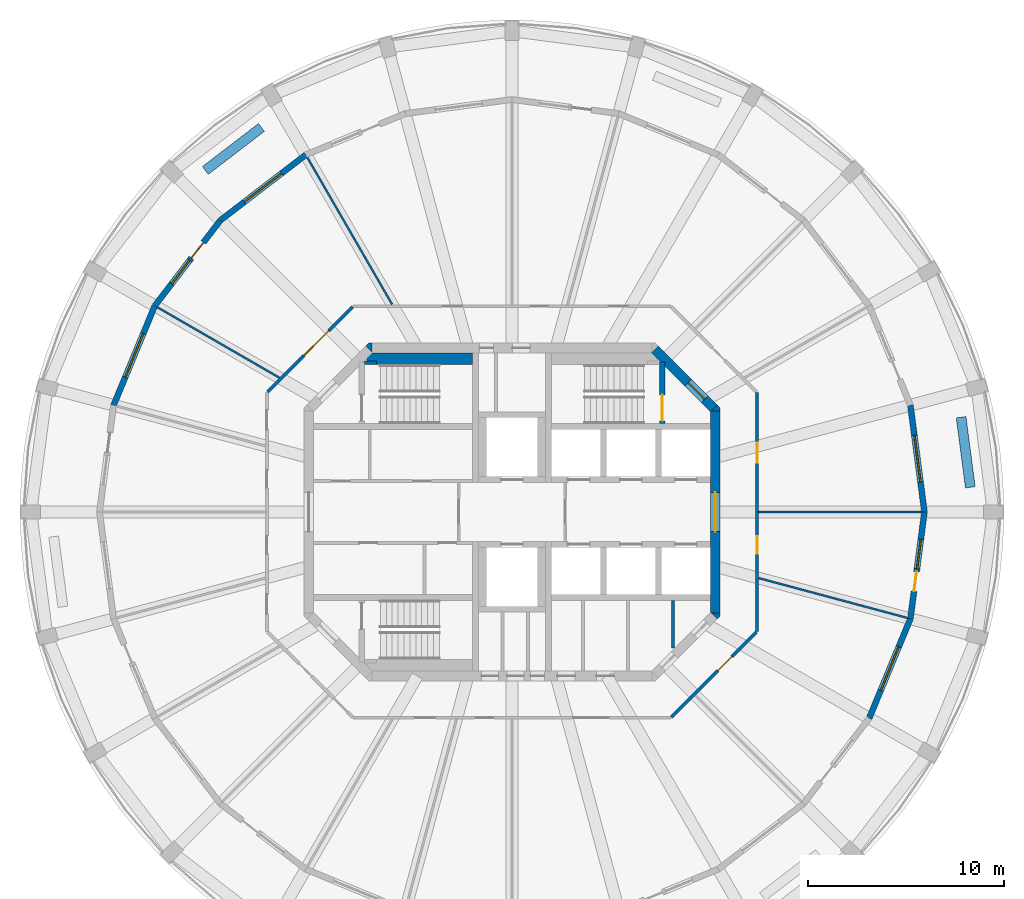
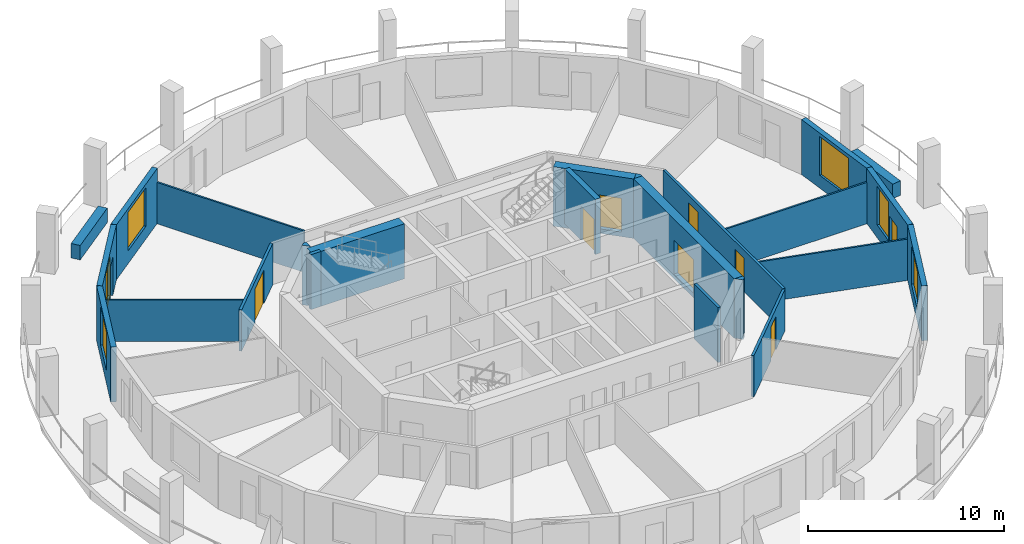
# One storey, part 5 of 9: 24 walls, 9 doors, 6 windows, 15 openings.
"""IFC4 building model written with IfcOpenShell, lengths in metres."""

from ifc_helpers import new_model, si_unit, direction, frame, frame_2d, origin, place, context, subcontext, project, spatial, polyline, rectangle, outline, extrude, material, layer, layer_set, type_object, element, fill, save


model = new_model("IFC4")

# Units and contexts
model_context = context("Model", 3, precision=1e-05, world=origin(), true_north=direction((0.0, 1.0)))
body_context = subcontext(model_context, "Body", "Model", "MODEL_VIEW")
ifc_project = project(units=[si_unit("LENGTHUNIT", "METRE"), si_unit("AREAUNIT", "SQUARE_METRE"), si_unit("VOLUMEUNIT", "CUBIC_METRE"), si_unit("PLANEANGLEUNIT", "RADIAN"), si_unit("MASSUNIT", "GRAM", prefix="KILO")], contexts=[model_context])

# Site, building, storey
site_placement = place(None, origin())
site = spatial("IfcSite", under=ifc_project, at=site_placement, CompositionType="ELEMENT")
building_placement = place(site_placement, origin())
building = spatial("IfcBuilding", under=site, at=building_placement, Name="Torre Triforio", CompositionType="ELEMENT")
storey_placement = place(building_placement, frame((0.0, 0.0, 268.60009765625)))
storey = spatial("IfcBuildingStorey", under=building, at=storey_placement, Name="L62", CompositionType="ELEMENT", Elevation=268.60009765625)

# Wall, opening, door
ifc_material_1 = material(Name="Concrete C40", Category="concrete")
ifc_layer_1 = layer(ifc_material_1, 0.5)
ifc_layer_set_1 = layer_set([ifc_layer_1], Name="Concrete C40")
wall_type_1 = type_object("IfcWallType", Name="Core wall 500 mm C40 EI 120", PredefinedType="SHEAR", material=ifc_layer_set_1)
wall_1_placement = place(storey_placement, frame((10.35009765625, -5.1298828125, -0.280029296875), z_axis=(0.0, 0.0, 1.0), x_axis=(0.0, 1.0, 0.0)))
wall_1 = element("IfcWall", 1, at=wall_1_placement, inside=storey, type_object=wall_type_1, Name="Core wall", PredefinedType="SHEAR", context=body_context, shape_type="SweptSolid", body=[
    extrude(rectangle(XDim=10.259765625, YDim=0.5, at=frame_2d((5.1298828125, 0.0))), origin(), (0.0, 0.0, 1.0), 3.699951171875),
])
opening_1_placement = place(wall_1_placement, frame((4.1298828125, 0.0, 0.280029296875)))
opening_1 = element("IfcOpeningElement", 2, at=opening_1_placement, cuts=wall_1, Name="Opening E-RING", PredefinedType="OPENING", context=body_context, shape_type="SweptSolid", body=[
    extrude(rectangle(XDim=2.0, YDim=2.10009765625, at=frame_2d((1.0, 1.050048828125))), frame((0.0, 0.260009765625, 0.0), z_axis=(0.0, -1.0, 0.0), x_axis=(1.0, 0.0, 0.0)), (0.0, 0.0, 1.0), 0.52001953125),
])
ifc_material_2 = material(Name="Hollow metal fire door leaf")
door_type_1 = type_object("IfcDoorType", Name="Lobby door 2000 x 2100 EI 60", OperationType="DOUBLE_DOOR_SINGLE_SWING", PredefinedType="DOOR", material=ifc_material_2)
door_1_placement = place(opening_1_placement, origin())
door_1 = element("IfcDoor", 3, at=door_1_placement, inside=storey, type_object=door_type_1, Name="Core door E-RING", OperationType="DOUBLE_DOOR_SINGLE_SWING", OverallHeight=2.10009765625, OverallWidth=2.0, PredefinedType="DOOR", context=body_context, shape_type="SweptSolid", body=[
    extrude(rectangle(XDim=2.0, YDim=2.10009765625, at=frame_2d((1.0, 1.050048828125))), frame((0.0, 0.02490234375, 0.0), z_axis=(0.0, -1.0, 0.0), x_axis=(1.0, 0.0, 0.0)), (0.0, 0.0, 1.0), 0.050048828125),
])
fill(opening_1, door_1)

wall_2_placement = place(storey_placement, frame((7.27685546875, 8.27685546875, -0.280029296875), z_axis=(0.0, 0.0, 1.0), x_axis=(0.707106781187, -0.707106781187, 0.0)))
wall_2 = element("IfcWall", 4, at=wall_2_placement, inside=storey, type_object=wall_type_1, Name="Core wall", PredefinedType="SHEAR", context=body_context, shape_type="SweptSolid", body=[
    extrude(rectangle(XDim=4.24267578125, YDim=0.5, at=frame_2d((2.121337890625, 0.0))), origin(), (0.0, 0.0, 1.0), 3.699951171875),
])
opening_2_placement = place(wall_2_placement, frame((2.392578125, 0.0, 0.280029296875)))
opening_2 = element("IfcOpeningElement", 5, at=opening_2_placement, cuts=wall_2, Name="Opening ST2-EXIT", PredefinedType="OPENING", context=body_context, shape_type="SweptSolid", body=[
    extrude(rectangle(XDim=1.199951171875, YDim=2.10009765625, at=frame_2d((0.60009765625, 1.050048828125))), frame((0.0, 0.260009765625, 0.0), z_axis=(0.0, -1.0, 0.0), x_axis=(1.0, 0.0, 0.0)), (0.0, 0.0, 1.0), 0.52001953125),
])
door_type_2 = type_object("IfcDoorType", Name="Stair lobby door 1200 x 2100 EI 60", OperationType="NOTDEFINED", PredefinedType="DOOR", material=ifc_material_2)
door_2_placement = place(opening_2_placement, origin())
door_2 = element("IfcDoor", 6, at=door_2_placement, inside=storey, type_object=door_type_2, Name="Core door ST2-EXIT", OperationType="SINGLE_SWING_RIGHT", OverallHeight=2.10009765625, OverallWidth=1.199951171875, PredefinedType="DOOR", context=body_context, shape_type="SweptSolid", body=[
    extrude(rectangle(XDim=1.199951171875, YDim=2.10009765625, at=frame_2d((0.60009765625, 1.050048828125))), frame((0.0, 0.02490234375, 0.0), z_axis=(0.0, -1.0, 0.0), x_axis=(1.0, 0.0, 0.0)), (0.0, 0.0, 1.0), 0.050048828125),
])
fill(opening_2, door_2)

# Walls
wall_3_placement = place(storey_placement, frame((0.0, 0.0, -0.280029296875)))
element("IfcWall", 7, at=wall_3_placement, inside=storey, type_object=wall_type_1, Name="Core wall", PredefinedType="SHEAR", context=body_context, shape_type="SweptSolid", body=[
    extrude(outline(polyline([(10.60009765625, -5.30712890625), (10.45361328125, -5.45361328125), (10.1298828125, -5.1298828125), (10.60009765625, -5.1298828125), (10.60009765625, -5.30712890625)])), origin(), (0.0, 0.0, 1.0), 3.699951171875),
])
wall_4_placement = place(storey_placement, frame((0.0, 0.0, -0.280029296875)))
element("IfcWall", 8, at=wall_4_placement, inside=storey, type_object=wall_type_1, Name="Core wall", PredefinedType="SHEAR", context=body_context, shape_type="SweptSolid", body=[
    extrude(outline(polyline([(10.60009765625, 5.30712890625), (10.60009765625, 5.1298828125), (10.1298828125, 5.1298828125), (10.45361328125, 5.45361328125), (10.60009765625, 5.30712890625)])), origin(), (0.0, 0.0, 1.0), 3.699951171875),
])
wall_5_placement = place(storey_placement, frame((0.0, 0.0, -0.280029296875)))
element("IfcWall", 9, at=wall_5_placement, inside=storey, type_object=wall_type_1, Name="Core wall", PredefinedType="SHEAR", context=body_context, shape_type="SweptSolid", body=[
    extrude(outline(polyline([(-7.30712890625, 8.60009765625), (-7.1298828125, 8.60009765625), (-7.1298828125, 8.1298828125), (-7.45361328125, 8.45361328125), (-7.30712890625, 8.60009765625)])), origin(), (0.0, 0.0, 1.0), 3.699951171875),
])

# Wall, opening, door
ifc_material_3 = material(Name="Plasterboard on metal studs")
ifc_layer_2 = layer(ifc_material_3, 0.14990234375)
ifc_layer_set_2 = layer_set([ifc_layer_2], Name="Plasterboard on metal studs")
wall_type_2 = type_object("IfcWallType", Name="Corridor and tenancy wall 150 mm EI 60", PredefinedType="PARTITIONING", material=ifc_layer_set_2)
wall_6_placement = place(storey_placement, frame((12.43798828125, -6.120849609375, 0.0), z_axis=(0.0, 0.0, 1.0), x_axis=(-0.707106781187, -0.707106781187, 0.0)))
wall_6 = element("IfcWall", 10, at=wall_6_placement, inside=storey, type_object=wall_type_2, Name="Partition 1", PredefinedType="PARTITIONING", context=body_context, shape_type="SweptSolid", body=[
    extrude(rectangle(XDim=6.10546875, YDim=0.14990234375, at=frame_2d((3.052734375, 0.0))), origin(), (0.0, 0.0, 1.0), 2.56982421875),
])
opening_3_placement = place(wall_6_placement, frame((1.75830078125, 0.0, 0.0)))
opening_3 = element("IfcOpeningElement", 11, at=opening_3_placement, cuts=wall_6, Name="Opening E2-05", PredefinedType="OPENING", context=body_context, shape_type="SweptSolid", body=[
    extrude(rectangle(XDim=1.0, YDim=2.10009765625, at=frame_2d((0.5, 1.050048828125))), frame((0.0, 0.0849609375, 0.0), z_axis=(0.0, -1.0, 0.0), x_axis=(1.0, 0.0, 0.0)), (0.0, 0.0, 1.0), 0.169921875),
])
ifc_material_4 = material(Name="Timber", Category="wood")
door_type_3 = type_object("IfcDoorType", Name="Door 1000 x 2100 single leaf EI 30", OperationType="NOTDEFINED", PredefinedType="DOOR", material=ifc_material_4)
door_3_placement = place(opening_3_placement, origin())
door_3 = element("IfcDoor", 12, at=door_3_placement, inside=storey, type_object=door_type_3, Name="Door E2-05", OperationType="SINGLE_SWING_LEFT", OverallHeight=2.10009765625, OverallWidth=1.0, PredefinedType="DOOR", context=body_context, shape_type="SweptSolid", body=[
    extrude(rectangle(XDim=1.0, YDim=2.10009765625, at=frame_2d((0.5, 1.050048828125))), frame((0.0, 0.02490234375, 0.0), z_axis=(0.0, -1.0, 0.0), x_axis=(1.0, 0.0, 0.0)), (0.0, 0.0, 1.0), 0.050048828125),
])
fill(opening_3, door_3)

wall_7_placement = place(storey_placement, frame((-12.43798828125, 6.120849609375, 0.0), z_axis=(0.0, 0.0, 1.0), x_axis=(0.707106781187, 0.707106781187, 0.0)))
wall_7 = element("IfcWall", 13, at=wall_7_placement, inside=storey, type_object=wall_type_2, Name="Partition 5", PredefinedType="PARTITIONING", context=body_context, shape_type="SweptSolid", body=[
    extrude(rectangle(XDim=6.10546875, YDim=0.14990234375, at=frame_2d((3.052734375, 0.0))), origin(), (0.0, 0.0, 1.0), 2.56982421875),
])
opening_4_placement = place(wall_7_placement, frame((2.601806640625, 0.0, 0.0)))
opening_4 = element("IfcOpeningElement", 14, at=opening_4_placement, cuts=wall_7, Name="Opening E2-12", PredefinedType="OPENING", context=body_context, shape_type="SweptSolid", body=[
    extrude(rectangle(XDim=1.800048828125, YDim=2.10009765625, at=frame_2d((0.89990234375, 1.050048828125))), frame((0.0, 0.0849609375, 0.0), z_axis=(0.0, -1.0, 0.0), x_axis=(1.0, 0.0, 0.0)), (0.0, 0.0, 1.0), 0.169921875),
])
door_type_4 = type_object("IfcDoorType", Name="Door 1800 x 2100 double leaf EI 30", OperationType="DOUBLE_DOOR_SINGLE_SWING", PredefinedType="DOOR", material=ifc_material_4)
door_4_placement = place(opening_4_placement, origin())
door_4 = element("IfcDoor", 15, at=door_4_placement, inside=storey, type_object=door_type_4, Name="Door E2-12", OperationType="DOUBLE_DOOR_SINGLE_SWING", OverallHeight=2.10009765625, OverallWidth=1.800048828125, PredefinedType="DOOR", context=body_context, shape_type="SweptSolid", body=[
    extrude(rectangle(XDim=1.800048828125, YDim=2.10009765625, at=frame_2d((0.89990234375, 1.050048828125))), frame((0.0, 0.02490234375, 0.0), z_axis=(0.0, -1.0, 0.0), x_axis=(1.0, 0.0, 0.0)), (0.0, 0.0, 1.0), 0.050048828125),
])
fill(opening_4, door_4)

# Wall, openings, doors
wall_8_placement = place(storey_placement, frame((12.47509765625, 6.083740234375, 0.0), z_axis=(0.0, 0.0, 1.0), x_axis=(0.0, -1.0, 0.0)))
wall_8 = element("IfcWall", 16, at=wall_8_placement, inside=storey, type_object=wall_type_2, Name="Partition 8", PredefinedType="PARTITIONING", context=body_context, shape_type="SweptSolid", body=[
    extrude(rectangle(XDim=12.16748046875, YDim=0.14990234375, at=frame_2d((6.083740234375, 0.0))), origin(), (0.0, 0.0, 1.0), 2.56982421875),
])
opening_5_placement = place(wall_8_placement, frame((7.305908203125, 0.0, 0.0)))
opening_5 = element("IfcOpeningElement", 17, at=opening_5_placement, cuts=wall_8, Name="Opening E2-06", PredefinedType="OPENING", context=body_context, shape_type="SweptSolid", body=[
    extrude(rectangle(XDim=0.89990234375, YDim=2.10009765625, at=frame_2d((0.449951171875, 1.050048828125))), frame((0.0, 0.0849609375, 0.0), z_axis=(0.0, -1.0, 0.0), x_axis=(1.0, 0.0, 0.0)), (0.0, 0.0, 1.0), 0.169921875),
])
opening_6_placement = place(wall_8_placement, frame((2.56689453125, 0.0, 0.0)))
opening_6 = element("IfcOpeningElement", 18, at=opening_6_placement, cuts=wall_8, Name="Opening E2-07", PredefinedType="OPENING", context=body_context, shape_type="SweptSolid", body=[
    extrude(rectangle(XDim=1.0, YDim=2.10009765625, at=frame_2d((0.5, 1.050048828125))), frame((0.0, 0.0849609375, 0.0), z_axis=(0.0, -1.0, 0.0), x_axis=(1.0, 0.0, 0.0)), (0.0, 0.0, 1.0), 0.169921875),
])
door_5_placement = place(opening_6_placement, origin())
door_5 = element("IfcDoor", 19, at=door_5_placement, inside=storey, type_object=door_type_3, Name="Door E2-07", OperationType="SINGLE_SWING_LEFT", OverallHeight=2.10009765625, OverallWidth=1.0, PredefinedType="DOOR", context=body_context, shape_type="SweptSolid", body=[
    extrude(rectangle(XDim=1.0, YDim=2.10009765625, at=frame_2d((0.5, 1.050048828125))), frame((0.0, 0.02490234375, 0.0), z_axis=(0.0, -1.0, 0.0), x_axis=(1.0, 0.0, 0.0)), (0.0, 0.0, 1.0), 0.050048828125),
])
fill(opening_6, door_5)
door_type_5 = type_object("IfcDoorType", Name="Door 900 x 2100 single leaf EI 30", OperationType="NOTDEFINED", PredefinedType="DOOR", material=ifc_material_4)
door_6_placement = place(opening_5_placement, origin())
door_6 = element("IfcDoor", 20, at=door_6_placement, inside=storey, type_object=door_type_5, Name="Door E2-06", OperationType="SINGLE_SWING_LEFT", OverallHeight=2.10009765625, OverallWidth=0.89990234375, PredefinedType="DOOR", context=body_context, shape_type="SweptSolid", body=[
    extrude(rectangle(XDim=0.89990234375, YDim=2.10009765625, at=frame_2d((0.449951171875, 1.050048828125))), frame((0.0, 0.02490234375, 0.0), z_axis=(0.0, -1.0, 0.0), x_axis=(1.0, 0.0, 0.0)), (0.0, 0.0, 1.0), 0.050048828125),
])
fill(opening_5, door_6)

# Walls
ifc_layer_3 = layer(ifc_material_3, 0.10009765625)
ifc_layer_set_3 = layer_set([ifc_layer_3], Name="Plasterboard on metal studs")
wall_type_3 = type_object("IfcWallType", Name="Partition 100 mm board on metal studs", PredefinedType="PARTITIONING", material=ifc_layer_set_3)
wall_9_placement = place(storey_placement, frame((12.550048828125, 0.0, 0.0), z_axis=(0.0, 0.0, 1.0), x_axis=(1.0, 0.0, 0.0)))
element("IfcWall", 21, at=wall_9_placement, inside=storey, type_object=wall_type_3, Name="Partition 9", PredefinedType="PARTITIONING", context=body_context, shape_type="SweptSolid", body=[
    extrude(rectangle(XDim=8.28662109375, YDim=0.10009765625, at=frame_2d((4.143310546875, 0.0))), origin(), (0.0, 0.0, 1.0), 2.56982421875),
])
wall_10_placement = place(storey_placement, frame((-6.105224609375, 10.57470703125, 0.0), z_axis=(0.0, 0.0, 1.0), x_axis=(-0.50001399067, 0.866017326117, 0.0)))
element("IfcWall", 22, at=wall_10_placement, inside=storey, type_object=wall_type_3, Name="Partition 14", PredefinedType="PARTITIONING", context=body_context, shape_type="SweptSolid", body=[
    extrude(rectangle(XDim=8.626220703125, YDim=0.10009765625, at=frame_2d((4.31298828125, 0.0))), origin(), (0.0, 0.0, 1.0), 2.56982421875),
])
wall_11_placement = place(storey_placement, frame((-11.845947265625, 6.839111328125, 0.0), z_axis=(0.0, 0.0, 1.0), x_axis=(-0.866011787705, 0.500023583, 0.0)))
element("IfcWall", 23, at=wall_11_placement, inside=storey, type_object=wall_type_3, Name="Partition 15", PredefinedType="PARTITIONING", context=body_context, shape_type="SweptSolid", body=[
    extrude(rectangle(XDim=7.158447265625, YDim=0.10009765625, at=frame_2d((3.5791015625, 0.0))), origin(), (0.0, 0.0, 1.0), 2.56982421875),
])
wall_12_placement = place(storey_placement, frame((12.564208984375, -3.36669921875, 0.0), z_axis=(0.0, 0.0, 1.0), x_axis=(0.965933576344, -0.258790119773, 0.0)))
element("IfcWall", 24, at=wall_12_placement, inside=storey, type_object=wall_type_3, Name="Partition 25", PredefinedType="PARTITIONING", context=body_context, shape_type="SweptSolid", body=[
    extrude(rectangle(XDim=7.8291015625, YDim=0.10009765625, at=frame_2d((3.91455078125, 0.0))), origin(), (0.0, 0.0, 1.0), 2.56982421875),
])
ifc_material_5 = material(Name="Block and board partition")
ifc_layer_4 = layer(ifc_material_5, 0.14990234375)
ifc_layer_set_4 = layer_set([ifc_layer_4], Name="Block and board partition")
wall_type_4 = type_object("IfcWallType", Name="Partition 150 mm", PredefinedType="PARTITIONING", material=ifc_layer_set_4)
wall_13_placement = place(storey_placement, frame((8.18896484375, -6.93603515625, 0.0), z_axis=(0.0, 0.0, 1.0), x_axis=(0.0, 1.0, 0.0)))
element("IfcWall", 25, at=wall_13_placement, inside=storey, type_object=wall_type_4, Name="Partition", PredefinedType="PARTITIONING", context=body_context, shape_type="SweptSolid", body=[
    extrude(rectangle(XDim=2.43603515625, YDim=0.14990234375, at=frame_2d((1.218017578125, 0.0))), origin(), (0.0, 0.0, 1.0), 3.419921875),
])
ifc_material_6 = material(Name="Limestone cladding", Category="masonry")
ifc_layer_5 = layer(ifc_material_6, 0.10009765625)
ifc_layer_6 = layer(ifc_material_1, 0.39990234375)
ifc_layer_set_5 = layer_set([ifc_layer_5, ifc_layer_6], Name="Limestone cladding / Concrete C40")
wall_type_5 = type_object("IfcWallType", Name="Planter wall 500", PredefinedType="PARAPET", material=ifc_layer_set_5)
for number, where, z_axis, x_axis, name in (
    (26, (23.335693359375, 1.256591796875, 0.0), (0.0, 0.0, 1.0), (-0.130542222659, 0.991442750795, 0.0), "Planter L62 bay 01"),
    (27, (-12.756103515625, 19.580810546875, 0.0), (0.0, 0.0, 1.0), (-0.793384730612, -0.608720518162, 0.0), "Planter L62 bay 09"),
):
    element("IfcWall", number, at=place(storey_placement, frame(where, z_axis=z_axis, x_axis=x_axis)), inside=storey, type_object=wall_type_5, Name=name, PredefinedType="PARAPET", context=body_context, shape_type="SweptSolid", body=[
        extrude(rectangle(XDim=3.60009765625, YDim=0.5, at=frame_2d((1.800048828125, 0.0))), origin(), (0.0, 0.0, 1.0), 0.89990234375),
    ])
ifc_layer_7 = layer(ifc_material_1, 0.199951171875)
ifc_layer_set_6 = layer_set([ifc_layer_7], Name="Concrete C40")
wall_type_6 = type_object("IfcWallType", Name="Stair wall 200 mm C40 EI 120", PredefinedType="SHEAR", material=ifc_layer_set_6)
wall_14_placement = place(storey_placement, frame((-7.5, 7.60009765625, 0.0), z_axis=(0.0, 0.0, 1.0), x_axis=(1.0, 0.0, 0.0)))
element("IfcWall", 28, at=wall_14_placement, inside=storey, type_object=wall_type_6, Name="Stair wall", PredefinedType="SHEAR", context=body_context, shape_type="SweptSolid", body=[
    extrude(rectangle(XDim=0.60009765625, YDim=0.199951171875, at=frame_2d((0.300048828125, 0.0))), origin(), (0.0, 0.0, 1.0), 3.419921875),
])

# Wall, opening, door
ifc_layer_8 = layer(ifc_material_1, 0.300048828125)
ifc_layer_set_7 = layer_set([ifc_layer_8], Name="Concrete C40")
wall_type_7 = type_object("IfcWallType", Name="Stair wall 300 mm C40 EI 120", PredefinedType="SHEAR", material=ifc_layer_set_7)
wall_15_placement = place(storey_placement, frame((7.64990234375, 4.5, 0.0), z_axis=(0.0, 0.0, 1.0), x_axis=(0.0, 1.0, 0.0)))
wall_15 = element("IfcWall", 29, at=wall_15_placement, inside=storey, type_object=wall_type_7, Name="Stair wall", PredefinedType="SHEAR", context=body_context, shape_type="SweptSolid", body=[
    extrude(rectangle(XDim=3.139892578125, YDim=0.300048828125, at=frame_2d((1.56982421875, 0.0))), origin(), (0.0, 0.0, 1.0), 3.419921875),
])
opening_7_placement = place(wall_15_placement, frame((0.139892578125, 0.0, 0.0)))
opening_7 = element("IfcOpeningElement", 30, at=opening_7_placement, cuts=wall_15, Name="Opening ST2-STA", PredefinedType="OPENING", context=body_context, shape_type="SweptSolid", body=[
    extrude(rectangle(XDim=1.320068359375, YDim=2.10009765625, at=frame_2d((0.66015625, 1.050048828125))), frame((0.0, 0.159912109375, 0.0), z_axis=(0.0, -1.0, 0.0), x_axis=(1.0, 0.0, 0.0)), (0.0, 0.0, 1.0), 0.320068359375),
])
door_type_6 = type_object("IfcDoorType", Name="Stair door 1320 x 2100 EI 90", OperationType="DOUBLE_DOOR_SINGLE_SWING", PredefinedType="DOOR", material=ifc_material_2)
door_7_placement = place(opening_7_placement, origin())
door_7 = element("IfcDoor", 31, at=door_7_placement, inside=storey, type_object=door_type_6, Name="Core door ST2-ST", OperationType="DOUBLE_DOOR_SINGLE_SWING", OverallHeight=2.10009765625, OverallWidth=1.320068359375, PredefinedType="DOOR", context=body_context, shape_type="SweptSolid", body=[
    extrude(rectangle(XDim=1.320068359375, YDim=2.10009765625, at=frame_2d((0.66015625, 1.050048828125))), frame((0.0, 0.02490234375, 0.0), z_axis=(0.0, -1.0, 0.0), x_axis=(1.0, 0.0, 0.0)), (0.0, 0.0, 1.0), 0.050048828125),
])
fill(opening_7, door_7)

# Wall
ifc_layer_9 = layer(ifc_material_1, 0.60009765625)
ifc_layer_set_8 = layer_set([ifc_layer_9], Name="Concrete C40")
wall_type_8 = type_object("IfcWallType", Name="Stair wall 600 mm C40 EI 120", PredefinedType="SHEAR", material=ifc_layer_set_8)
wall_16_placement = place(storey_placement, frame((-7.3701171875, 7.800048828125, 0.0), z_axis=(0.0, 0.0, 1.0), x_axis=(1.0, 0.0, 0.0)))
element("IfcWall", 32, at=wall_16_placement, inside=storey, type_object=wall_type_8, Name="Stair wall", PredefinedType="SHEAR", context=body_context, shape_type="SweptSolid", body=[
    extrude(rectangle(XDim=5.3701171875, YDim=0.60009765625, at=frame_2d((2.68505859375, 0.0))), origin(), (0.0, 0.0, 1.0), 3.419921875),
])

# Wall, opening, window
ifc_layer_10 = layer(ifc_material_6, 0.10009765625)
ifc_layer_11 = layer(ifc_material_1, 0.199951171875)
ifc_layer_set_9 = layer_set([ifc_layer_10, ifc_layer_11], Name="Limestone cladding / Concrete C40")
wall_type_9 = type_object("IfcWallType", Name="Stone-faced composite wall 300", PredefinedType="STANDARD", material=ifc_layer_set_9)
wall_17_placement = place(storey_placement, frame((21.0, 0.0, 0.0), z_axis=(0.0, 0.0, 1.0), x_axis=(-0.130527087244, 0.991444743541, 0.0)))
wall_17 = element("IfcWall", 33, at=wall_17_placement, inside=storey, type_object=wall_type_9, Name="External wall L62 bay 01", PredefinedType="STANDARD", context=body_context, shape_type="SweptSolid", body=[
    extrude(rectangle(XDim=5.482177734375, YDim=0.300048828125, at=frame_2d((2.7412109375, 0.0))), origin(), (0.0, 0.0, 1.0), 3.419921875),
])
opening_8_placement = place(wall_17_placement, frame((1.541015625, 0.0, 0.800048828125)))
opening_8 = element("IfcOpeningElement", 34, at=opening_8_placement, cuts=wall_17, Name="Opening E2-W01", PredefinedType="OPENING", context=body_context, shape_type="SweptSolid", body=[
    extrude(rectangle(XDim=2.39990234375, YDim=2.39990234375, at=frame_2d((1.199951171875, 1.199951171875))), frame((0.0, 0.159912109375, 0.0), z_axis=(0.0, -1.0, 0.0), x_axis=(1.0, 0.0, 0.0)), (0.0, 0.0, 1.0), 0.320068359375),
])
ifc_material_7 = material(Name="Aluminium frame with clear double glazing", Category="aluminium")
window_type_1 = type_object("IfcWindowType", Name="Punched window 2400 x 2400", PartitioningType="DOUBLE_PANEL_VERTICAL", PredefinedType="WINDOW", material=ifc_material_7)
window_1_placement = place(opening_8_placement, origin())
window_1 = element("IfcWindow", 35, at=window_1_placement, inside=storey, type_object=window_type_1, Name="Window EWN4 L62 bay 01", OverallHeight=2.39990234375, OverallWidth=2.39990234375, PartitioningType="SINGLE_PANEL", PredefinedType="WINDOW", context=body_context, shape_type="SweptSolid", body=[
    extrude(rectangle(XDim=2.39990234375, YDim=2.39990234375, at=frame_2d((1.199951171875, 1.199951171875))), frame((0.0, 0.030029296875, 0.0), z_axis=(0.0, -1.0, 0.0), x_axis=(1.0, 0.0, 0.0)), (0.0, 0.0, 1.0), 0.06005859375),
])
fill(opening_8, window_1)

wall_18_placement = place(storey_placement, frame((-10.5, 18.1865234375, 0.0), z_axis=(0.0, 0.0, 1.0), x_axis=(-0.793335336593, -0.608784891166, 0.0)))
wall_18 = element("IfcWall", 36, at=wall_18_placement, inside=storey, type_object=wall_type_9, Name="External wall L62 bay 09", PredefinedType="STANDARD", context=body_context, shape_type="SweptSolid", body=[
    extrude(rectangle(XDim=5.482177734375, YDim=0.300048828125, at=frame_2d((2.7412109375, 0.0))), origin(), (0.0, 0.0, 1.0), 3.419921875),
])
opening_9_placement = place(wall_18_placement, frame((1.541015625, 0.0, 0.800048828125)))
opening_9 = element("IfcOpeningElement", 37, at=opening_9_placement, cuts=wall_18, Name="Opening E2-W09", PredefinedType="OPENING", context=body_context, shape_type="SweptSolid", body=[
    extrude(rectangle(XDim=2.39990234375, YDim=2.39990234375, at=frame_2d((1.199951171875, 1.199951171875))), frame((0.0, 0.159912109375, 0.0), z_axis=(0.0, -1.0, 0.0), x_axis=(1.0, 0.0, 0.0)), (0.0, 0.0, 1.0), 0.320068359375),
])
window_2_placement = place(opening_9_placement, origin())
window_2 = element("IfcWindow", 38, at=window_2_placement, inside=storey, type_object=window_type_1, Name="Window EWN4 L62 bay 09", OverallHeight=2.39990234375, OverallWidth=2.39990234375, PartitioningType="SINGLE_PANEL", PredefinedType="WINDOW", context=body_context, shape_type="SweptSolid", body=[
    extrude(rectangle(XDim=2.39990234375, YDim=2.39990234375, at=frame_2d((1.199951171875, 1.199951171875))), frame((0.0, 0.030029296875, 0.0), z_axis=(0.0, -1.0, 0.0), x_axis=(1.0, 0.0, 0.0)), (0.0, 0.0, 1.0), 0.06005859375),
])
fill(opening_9, window_2)

# Wall, openings, door, window
wall_19_placement = place(storey_placement, frame((-14.84912109375, 14.84912109375, 0.0), z_axis=(0.0, 0.0, 1.0), x_axis=(-0.608784891166, -0.793335336593, 0.0)))
wall_19 = element("IfcWall", 39, at=wall_19_placement, inside=storey, type_object=wall_type_9, Name="External wall L62 bay 10", PredefinedType="STANDARD", context=body_context, shape_type="SweptSolid", body=[
    extrude(rectangle(XDim=5.482177734375, YDim=0.300048828125, at=frame_2d((2.7412109375, 0.0))), origin(), (0.0, 0.0, 1.0), 3.419921875),
])
opening_10_placement = place(wall_19_placement, frame((1.416015625, 0.0, 0.0)))
opening_10 = element("IfcOpeningElement", 40, at=opening_10_placement, cuts=wall_19, Name="Opening E2-D10", PredefinedType="OPENING", context=body_context, shape_type="SweptSolid", body=[
    extrude(rectangle(XDim=1.0, YDim=2.39990234375, at=frame_2d((0.5, 1.199951171875))), frame((0.0, 0.159912109375, 0.0), z_axis=(0.0, -1.0, 0.0), x_axis=(1.0, 0.0, 0.0)), (0.0, 0.0, 1.0), 0.320068359375),
])
opening_11_placement = place(wall_19_placement, frame((2.56591796875, 0.0, 0.800048828125)))
opening_11 = element("IfcOpeningElement", 41, at=opening_11_placement, cuts=wall_19, Name="Opening E2-W10A", PredefinedType="OPENING", context=body_context, shape_type="SweptSolid", body=[
    extrude(rectangle(XDim=1.5, YDim=2.39990234375, at=frame_2d((0.75, 1.199951171875))), frame((0.0, 0.159912109375, 0.0), z_axis=(0.0, -1.0, 0.0), x_axis=(1.0, 0.0, 0.0)), (0.0, 0.0, 1.0), 0.320068359375),
])
door_type_7 = type_object("IfcDoorType", Name="Loggia door 1000 x 2400", OperationType="NOTDEFINED", PredefinedType="DOOR", material=ifc_material_7)
door_8_placement = place(opening_10_placement, origin())
door_8 = element("IfcDoor", 42, at=door_8_placement, inside=storey, type_object=door_type_7, Name="Loggia door L62 bay 10", OperationType="SINGLE_SWING_LEFT", OverallHeight=2.39990234375, OverallWidth=1.0, PredefinedType="DOOR", context=body_context, shape_type="SweptSolid", body=[
    extrude(rectangle(XDim=1.0, YDim=2.39990234375, at=frame_2d((0.5, 1.199951171875))), frame((0.0, 0.02490234375, 0.0), z_axis=(0.0, -1.0, 0.0), x_axis=(1.0, 0.0, 0.0)), (0.0, 0.0, 1.0), 0.050048828125),
])
fill(opening_10, door_8)
window_type_2 = type_object("IfcWindowType", Name="Side window 1500 x 2400", PartitioningType="SINGLE_PANEL", PredefinedType="WINDOW", material=ifc_material_7)
window_3_placement = place(opening_11_placement, origin())
window_3 = element("IfcWindow", 43, at=window_3_placement, inside=storey, type_object=window_type_2, Name="Side window EWN14 L62 bay 10", OverallHeight=2.39990234375, OverallWidth=1.5, PartitioningType="SINGLE_PANEL", PredefinedType="WINDOW", context=body_context, shape_type="SweptSolid", body=[
    extrude(rectangle(XDim=1.5, YDim=2.39990234375, at=frame_2d((0.75, 1.199951171875))), frame((0.0, 0.030029296875, 0.0), z_axis=(0.0, -1.0, 0.0), x_axis=(1.0, 0.0, 0.0)), (0.0, 0.0, 1.0), 0.06005859375),
])
fill(opening_11, window_3)

# Wall, opening, window
wall_20_placement = place(storey_placement, frame((-18.1865234375, 10.5, 0.0), z_axis=(0.0, 0.0, 1.0), x_axis=(-0.382688740813, -0.923877333662, 0.0)))
wall_20 = element("IfcWall", 44, at=wall_20_placement, inside=storey, type_object=wall_type_9, Name="External wall L62 bay 11", PredefinedType="STANDARD", context=body_context, shape_type="SweptSolid", body=[
    extrude(rectangle(XDim=5.48193359375, YDim=0.300048828125, at=frame_2d((2.740966796875, 0.0))), origin(), (0.0, 0.0, 1.0), 3.419921875),
])
opening_12_placement = place(wall_20_placement, frame((1.541015625, 0.0, 0.800048828125)))
opening_12 = element("IfcOpeningElement", 45, at=opening_12_placement, cuts=wall_20, Name="Opening E2-W11", PredefinedType="OPENING", context=body_context, shape_type="SweptSolid", body=[
    extrude(rectangle(XDim=2.39990234375, YDim=2.39990234375, at=frame_2d((1.199951171875, 1.199951171875))), frame((0.0, 0.159912109375, 0.0), z_axis=(0.0, -1.0, 0.0), x_axis=(1.0, 0.0, 0.0)), (0.0, 0.0, 1.0), 0.320068359375),
])
window_4_placement = place(opening_12_placement, origin())
window_4 = element("IfcWindow", 46, at=window_4_placement, inside=storey, type_object=window_type_1, Name="Window EWN4 L62 bay 11", OverallHeight=2.39990234375, OverallWidth=2.39990234375, PartitioningType="SINGLE_PANEL", PredefinedType="WINDOW", context=body_context, shape_type="SweptSolid", body=[
    extrude(rectangle(XDim=2.39990234375, YDim=2.39990234375, at=frame_2d((1.199951171875, 1.199951171875))), frame((0.0, 0.030029296875, 0.0), z_axis=(0.0, -1.0, 0.0), x_axis=(1.0, 0.0, 0.0)), (0.0, 0.0, 1.0), 0.06005859375),
])
fill(opening_12, window_4)

wall_21_placement = place(storey_placement, frame((18.1865234375, -10.5, 0.0), z_axis=(0.0, 0.0, 1.0), x_axis=(0.382688740813, 0.923877333662, 0.0)))
wall_21 = element("IfcWall", 47, at=wall_21_placement, inside=storey, type_object=wall_type_9, Name="External wall L62 bay 23", PredefinedType="STANDARD", context=body_context, shape_type="SweptSolid", body=[
    extrude(rectangle(XDim=5.48193359375, YDim=0.300048828125, at=frame_2d((2.740966796875, 0.0))), origin(), (0.0, 0.0, 1.0), 3.419921875),
])
opening_13_placement = place(wall_21_placement, frame((1.541015625, 0.0, 0.800048828125)))
opening_13 = element("IfcOpeningElement", 48, at=opening_13_placement, cuts=wall_21, Name="Opening E2-W23", PredefinedType="OPENING", context=body_context, shape_type="SweptSolid", body=[
    extrude(rectangle(XDim=2.39990234375, YDim=2.39990234375, at=frame_2d((1.199951171875, 1.199951171875))), frame((0.0, 0.159912109375, 0.0), z_axis=(0.0, -1.0, 0.0), x_axis=(1.0, 0.0, 0.0)), (0.0, 0.0, 1.0), 0.320068359375),
])
window_5_placement = place(opening_13_placement, origin())
window_5 = element("IfcWindow", 49, at=window_5_placement, inside=storey, type_object=window_type_1, Name="Window EWN4 L62 bay 23", OverallHeight=2.39990234375, OverallWidth=2.39990234375, PartitioningType="SINGLE_PANEL", PredefinedType="WINDOW", context=body_context, shape_type="SweptSolid", body=[
    extrude(rectangle(XDim=2.39990234375, YDim=2.39990234375, at=frame_2d((1.199951171875, 1.199951171875))), frame((0.0, 0.030029296875, 0.0), z_axis=(0.0, -1.0, 0.0), x_axis=(1.0, 0.0, 0.0)), (0.0, 0.0, 1.0), 0.06005859375),
])
fill(opening_13, window_5)

# Wall, openings, door, window
wall_22_placement = place(storey_placement, frame((20.284423828125, -5.435302734375, 0.0), z_axis=(0.0, 0.0, 1.0), x_axis=(0.130527087244, 0.991444743541, 0.0)))
wall_22 = element("IfcWall", 50, at=wall_22_placement, inside=storey, type_object=wall_type_9, Name="External wall L62 bay 24", PredefinedType="STANDARD", context=body_context, shape_type="SweptSolid", body=[
    extrude(rectangle(XDim=5.482177734375, YDim=0.300048828125, at=frame_2d((2.7412109375, 0.0))), origin(), (0.0, 0.0, 1.0), 3.419921875),
])
opening_14_placement = place(wall_22_placement, frame((1.416015625, 0.0, 0.0)))
opening_14 = element("IfcOpeningElement", 51, at=opening_14_placement, cuts=wall_22, Name="Opening E2-D24", PredefinedType="OPENING", context=body_context, shape_type="SweptSolid", body=[
    extrude(rectangle(XDim=1.0, YDim=2.39990234375, at=frame_2d((0.5, 1.199951171875))), frame((0.0, 0.159912109375, 0.0), z_axis=(0.0, -1.0, 0.0), x_axis=(1.0, 0.0, 0.0)), (0.0, 0.0, 1.0), 0.320068359375),
])
opening_15_placement = place(wall_22_placement, frame((2.566162109375, 0.0, 0.800048828125)))
opening_15 = element("IfcOpeningElement", 52, at=opening_15_placement, cuts=wall_22, Name="Opening E2-W24A", PredefinedType="OPENING", context=body_context, shape_type="SweptSolid", body=[
    extrude(rectangle(XDim=1.5, YDim=2.39990234375, at=frame_2d((0.75, 1.199951171875))), frame((0.0, 0.159912109375, 0.0), z_axis=(0.0, -1.0, 0.0), x_axis=(1.0, 0.0, 0.0)), (0.0, 0.0, 1.0), 0.320068359375),
])
door_9_placement = place(opening_14_placement, origin())
door_9 = element("IfcDoor", 53, at=door_9_placement, inside=storey, type_object=door_type_7, Name="Loggia door L62 bay 24", OperationType="SINGLE_SWING_LEFT", OverallHeight=2.39990234375, OverallWidth=1.0, PredefinedType="DOOR", context=body_context, shape_type="SweptSolid", body=[
    extrude(rectangle(XDim=1.0, YDim=2.39990234375, at=frame_2d((0.5, 1.199951171875))), frame((0.0, 0.02490234375, 0.0), z_axis=(0.0, -1.0, 0.0), x_axis=(1.0, 0.0, 0.0)), (0.0, 0.0, 1.0), 0.050048828125),
])
fill(opening_14, door_9)
window_6_placement = place(opening_15_placement, origin())
window_6 = element("IfcWindow", 54, at=window_6_placement, inside=storey, type_object=window_type_2, Name="Side window EWN14 L62 bay 24", OverallHeight=2.39990234375, OverallWidth=1.5, PartitioningType="SINGLE_PANEL", PredefinedType="WINDOW", context=body_context, shape_type="SweptSolid", body=[
    extrude(rectangle(XDim=1.5, YDim=2.39990234375, at=frame_2d((0.75, 1.199951171875))), frame((0.0, 0.030029296875, 0.0), z_axis=(0.0, -1.0, 0.0), x_axis=(1.0, 0.0, 0.0)), (0.0, 0.0, 1.0), 0.06005859375),
])
fill(opening_15, window_6)

save(model, "model.ifc")
